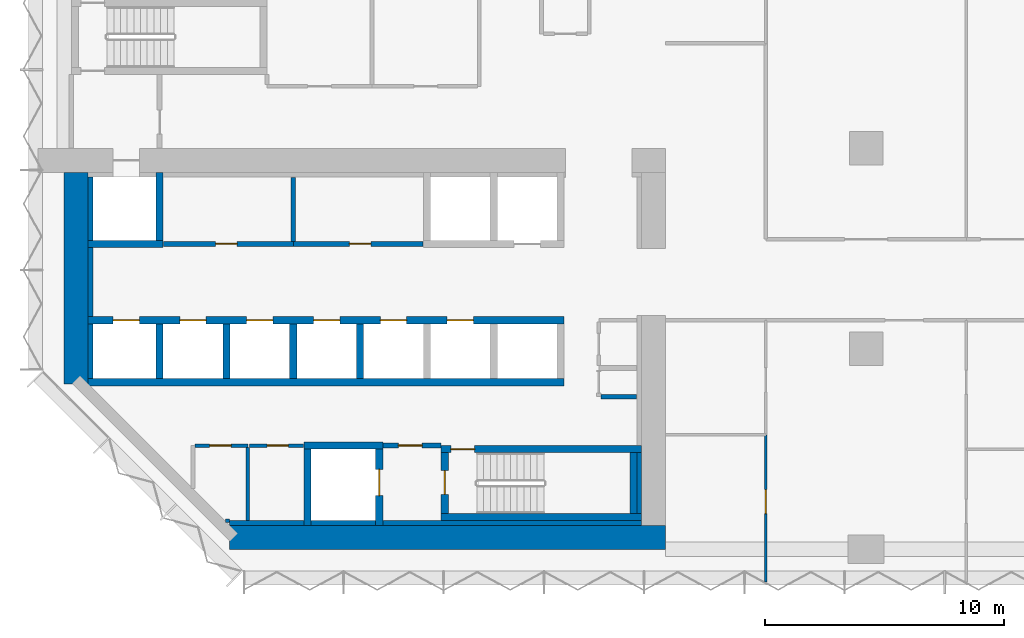
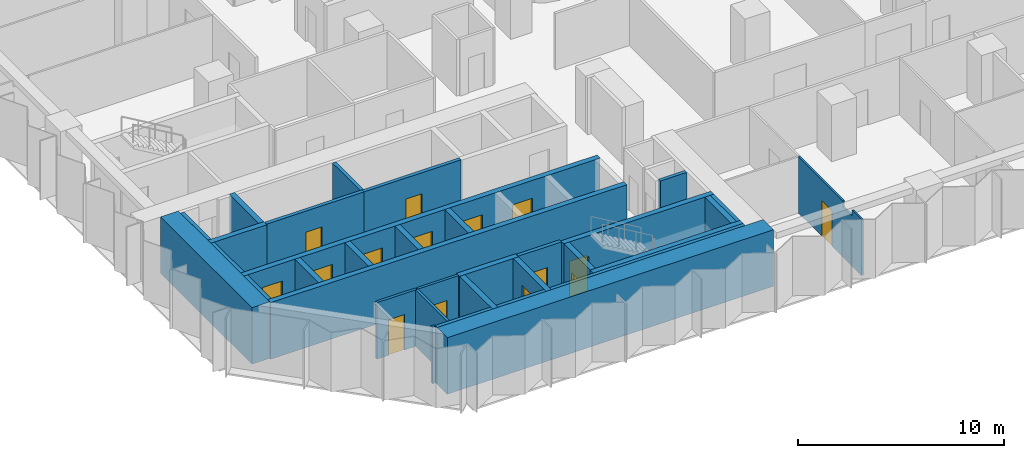
# One storey, part 7 of 15: 34 walls, 15 doors, 15 openings.
"""IFC4 building model written with IfcOpenShell, lengths in metres."""

from ifc_helpers import new_model, si_unit, direction, frame, frame_2d, origin, place, context, subcontext, project, spatial, polyline, rectangle, outline, extrude, material, layer, layer_set, type_object, element, fill, save


model = new_model("IFC4")

# Units and contexts
model_context = context("Model", 3, precision=1e-05, world=origin(), true_north=direction((0.0, 1.0)))
body_context = subcontext(model_context, "Body", "Model", "MODEL_VIEW")
ifc_project = project(units=[si_unit("LENGTHUNIT", "METRE"), si_unit("AREAUNIT", "SQUARE_METRE"), si_unit("VOLUMEUNIT", "CUBIC_METRE"), si_unit("PLANEANGLEUNIT", "RADIAN"), si_unit("MASSUNIT", "GRAM", prefix="KILO")], contexts=[model_context])

# Site, building, storey
site_placement = place(None, origin())
site = spatial("IfcSite", under=ifc_project, at=site_placement, CompositionType="ELEMENT")
building_placement = place(site_placement, origin())
building = spatial("IfcBuilding", under=site, at=building_placement, Name="Brevane Broadcast Tower", CompositionType="ELEMENT")
storey_placement = place(building_placement, frame((0.0, 0.0, 50.89990234375)))
storey = spatial("IfcBuildingStorey", under=building, at=storey_placement, Name="L10", CompositionType="ELEMENT", Elevation=50.89990234375)

# Walls
ifc_material_1 = material(Name="Concrete C32/40", Category="concrete")
ifc_layer_1 = layer(ifc_material_1, 0.199951171875)
ifc_layer_set_1 = layer_set([ifc_layer_1], Name="Core chase wall 200 mm")
wall_type_1 = type_object("IfcWallType", Name="Core chase wall 200 mm", PredefinedType="PARTITIONING", material=ifc_layer_set_1)
wall_1_placement = place(storey_placement, frame((1.10009765625, 7.14990234375, 0.0), z_axis=(0.0, 0.0, 1.0), x_axis=(0.0, 1.0, 0.0)))
element("IfcWall", 1, at=wall_1_placement, inside=storey, type_object=wall_type_1, Name="L10 chase wall LW-2-1", PredefinedType="PARTITIONING", context=body_context, shape_type="SweptSolid", body=[
    extrude(rectangle(XDim=2.300048828125, YDim=0.199951171875, at=frame_2d((1.14990234375, 0.0))), origin(), (0.0, 0.0, 1.0), 3.35009765625),
])
wall_2_placement = place(storey_placement, frame((1.10009765625, 9.75, 0.0), z_axis=(0.0, 0.0, 1.0), x_axis=(0.0, 1.0, 0.0)))
element("IfcWall", 2, at=wall_2_placement, inside=storey, type_object=wall_type_1, Name="L10 chase wall LW-2-2-1", PredefinedType="PARTITIONING", context=body_context, shape_type="SweptSolid", body=[
    extrude(rectangle(XDim=2.89990234375, YDim=0.199951171875, at=frame_2d((1.449951171875, 0.0))), origin(), (0.0, 0.0, 1.0), 3.35009765625),
])
wall_3_placement = place(storey_placement, frame((1.10009765625, 12.949951171875, 0.0), z_axis=(0.0, 0.0, 1.0), x_axis=(0.0, 1.0, 0.0)))
element("IfcWall", 3, at=wall_3_placement, inside=storey, type_object=wall_type_1, Name="L10 chase wall LW-2-2-2", PredefinedType="PARTITIONING", context=body_context, shape_type="SweptSolid", body=[
    extrude(rectangle(XDim=2.650146484375, YDim=0.199951171875, at=frame_2d((1.3251953125, 0.0))), origin(), (0.0, 0.0, 1.0), 3.35009765625),
])
wall_4_placement = place(storey_placement, frame((6.936279296875, 1.10009765625, 0.0), z_axis=(0.0, 0.0, 1.0), x_axis=(1.0, 0.0, 0.0)))
element("IfcWall", 4, at=wall_4_placement, inside=storey, type_object=wall_type_1, Name="L10 chase wall LS-1", PredefinedType="PARTITIONING", context=body_context, shape_type="SweptSolid", body=[
    extrude(rectangle(XDim=3.11376953125, YDim=0.199951171875, at=frame_2d((1.556884765625, 0.0))), origin(), (0.0, 0.0, 1.0), 3.35009765625),
])
wall_5_placement = place(storey_placement, frame((10.35009765625, 1.10009765625, 0.0), z_axis=(0.0, 0.0, 1.0), x_axis=(1.0, 0.0, 0.0)))
element("IfcWall", 5, at=wall_5_placement, inside=storey, type_object=wall_type_1, Name="L10 chase wall LS-2-1", PredefinedType="PARTITIONING", context=body_context, shape_type="SweptSolid", body=[
    extrude(rectangle(XDim=2.699951171875, YDim=0.199951171875, at=frame_2d((1.35009765625, 0.0))), origin(), (0.0, 0.0, 1.0), 3.35009765625),
])
wall_6_placement = place(storey_placement, frame((13.35009765625, 1.10009765625, 0.0), z_axis=(0.0, 0.0, 1.0), x_axis=(1.0, 0.0, 0.0)))
element("IfcWall", 6, at=wall_6_placement, inside=storey, type_object=wall_type_1, Name="L10 chase wall LS-2-2", PredefinedType="PARTITIONING", context=body_context, shape_type="SweptSolid", body=[
    extrude(rectangle(XDim=10.849853515625, YDim=0.199951171875, at=frame_2d((5.4248046875, 0.0))), origin(), (0.0, 0.0, 1.0), 3.35009765625),
])
wall_7_placement = place(storey_placement, frame((24.10009765625, 1.5, 0.0), z_axis=(0.0, 0.0, 1.0), x_axis=(0.0, 1.0, 0.0)))
element("IfcWall", 7, at=wall_7_placement, inside=storey, type_object=wall_type_1, Name="L10 chase wall LE1-2-1", PredefinedType="PARTITIONING", context=body_context, shape_type="SweptSolid", body=[
    extrude(rectangle(XDim=2.550048828125, YDim=0.199951171875, at=frame_2d((1.27490234375, 0.0))), origin(), (0.0, 0.0, 1.0), 3.35009765625),
])

# Wall, opening, door
ifc_material_2 = material(Name="Gypsum board on steel studs", Category="steel")
ifc_layer_2 = layer(ifc_material_2, 0.14990234375)
ifc_layer_set_2 = layer_set([ifc_layer_2], Name="Core fire partition 150 mm")
wall_type_2 = type_object("IfcWallType", Name="Core fire partition 150 mm", PredefinedType="PARTITIONING", material=ifc_layer_set_2)
wall_8_placement = place(storey_placement, frame((5.47509765625, 4.35009765625, 0.0), z_axis=(0.0, 0.0, 1.0), x_axis=(1.0, 0.0, 0.0)))
wall_8 = element("IfcWall", 8, at=wall_8_placement, inside=storey, type_object=wall_type_2, Name="L10 partition wall P11", PredefinedType="PARTITIONING", context=body_context, shape_type="SweptSolid", body=[
    extrude(rectangle(XDim=2.224853515625, YDim=0.14990234375, at=frame_2d((1.1123046875, 0.0))), origin(), (0.0, 0.0, 1.0), 3.35009765625),
])
opening_1_placement = place(wall_8_placement, frame((0.625, 0.0, 0.0)))
opening_1 = element("IfcOpeningElement", 9, at=opening_1_placement, cuts=wall_8, Name="Opening L10-K16", PredefinedType="OPENING", context=body_context, shape_type="SweptSolid", body=[
    extrude(rectangle(XDim=0.89990234375, YDim=2.10009765625, at=frame_2d((0.449951171875, 1.050048828125))), frame((0.0, 0.0849609375, 0.0), z_axis=(0.0, -1.0, 0.0), x_axis=(1.0, 0.0, 0.0)), (0.0, 0.0, 1.0), 0.169921875),
])
ifc_material_3 = material(Name="Timber", Category="wood")
door_type_1 = type_object("IfcDoorType", Name="Toilet door 900 x 2100", OperationType="SINGLE_SWING_LEFT", PredefinedType="DOOR", material=ifc_material_3)
door_1_placement = place(opening_1_placement, origin())
door_1 = element("IfcDoor", 10, at=door_1_placement, inside=storey, type_object=door_type_1, Name="Door L10-K16", OperationType="SINGLE_SWING_RIGHT", OverallHeight=2.10009765625, OverallWidth=0.89990234375, PredefinedType="DOOR", context=body_context, shape_type="SweptSolid", body=[
    extrude(rectangle(XDim=0.89990234375, YDim=2.10009765625, at=frame_2d((0.449951171875, 1.050048828125))), frame((0.0, 0.02490234375, 0.0), z_axis=(0.0, -1.0, 0.0), x_axis=(1.0, 0.0, 0.0)), (0.0, 0.0, 1.0), 0.050048828125),
])
fill(opening_1, door_1)

# Walls
wall_9_placement = place(storey_placement, frame((7.699951171875, 4.27490234375, 0.0), z_axis=(0.0, 0.0, 1.0), x_axis=(0.0, -1.0, 0.0)))
element("IfcWall", 11, at=wall_9_placement, inside=storey, type_object=wall_type_2, Name="L10 partition wall P12", PredefinedType="PARTITIONING", context=body_context, shape_type="SweptSolid", body=[
    extrude(rectangle(XDim=3.06298828125, YDim=0.14990234375, at=frame_2d((1.531494140625, 0.0))), origin(), (0.0, 0.0, 1.0), 3.35009765625),
])
wall_10_placement = place(storey_placement, frame((6.92431640625, 1.199951171875, 0.0), z_axis=(0.0, 0.0, 1.0), x_axis=(-1.0, 0.0, 0.0)))
element("IfcWall", 12, at=wall_10_placement, inside=storey, type_object=wall_type_2, Name="L10 partition wall P13", PredefinedType="PARTITIONING", context=body_context, shape_type="SweptSolid", body=[
    extrude(rectangle(XDim=0.1708984375, YDim=0.14990234375, at=frame_2d((0.08544921875, 0.0))), origin(), (0.0, 0.0, 1.0), 3.35009765625),
])

# Wall, opening, door
wall_11_placement = place(storey_placement, frame((10.0380859375, 4.35009765625, 0.0), z_axis=(0.0, 0.0, 1.0), x_axis=(-1.0, 0.0, 0.0)))
wall_11 = element("IfcWall", 13, at=wall_11_placement, inside=storey, type_object=wall_type_2, Name="L10 partition wall P14", PredefinedType="PARTITIONING", context=body_context, shape_type="SweptSolid", body=[
    extrude(rectangle(XDim=2.26318359375, YDim=0.14990234375, at=frame_2d((1.131591796875, 0.0))), origin(), (0.0, 0.0, 1.0), 3.35009765625),
])
opening_2_placement = place(wall_11_placement, frame((0.637939453125, 0.0, 0.0)))
opening_2 = element("IfcOpeningElement", 14, at=opening_2_placement, cuts=wall_11, Name="Opening L10-K17", PredefinedType="OPENING", context=body_context, shape_type="SweptSolid", body=[
    extrude(rectangle(XDim=0.89990234375, YDim=2.10009765625, at=frame_2d((0.449951171875, 1.050048828125))), frame((0.0, 0.0849609375, 0.0), z_axis=(0.0, -1.0, 0.0), x_axis=(1.0, 0.0, 0.0)), (0.0, 0.0, 1.0), 0.169921875),
])
door_2_placement = place(opening_2_placement, origin())
door_2 = element("IfcDoor", 15, at=door_2_placement, inside=storey, type_object=door_type_1, Name="Door L10-K17", OperationType="SINGLE_SWING_LEFT", OverallHeight=2.10009765625, OverallWidth=0.89990234375, PredefinedType="DOOR", context=body_context, shape_type="SweptSolid", body=[
    extrude(rectangle(XDim=0.89990234375, YDim=2.10009765625, at=frame_2d((0.449951171875, 1.050048828125))), frame((0.0, 0.02490234375, 0.0), z_axis=(0.0, -1.0, 0.0), x_axis=(1.0, 0.0, 0.0)), (0.0, 0.0, 1.0), 0.050048828125),
])
fill(opening_2, door_2)

ifc_layer_3 = layer(ifc_material_2, 0.199951171875)
ifc_layer_set_3 = layer_set([ifc_layer_3], Name="Core fire partition 200 mm")
wall_type_3 = type_object("IfcWallType", Name="Core fire partition 200 mm", PredefinedType="PARTITIONING", material=ifc_layer_set_3)
wall_12_placement = place(storey_placement, frame((13.362060546875, 4.35009765625, 0.0), z_axis=(0.0, 0.0, 1.0), x_axis=(1.0, 0.0, 0.0)))
wall_12 = element("IfcWall", 16, at=wall_12_placement, inside=storey, type_object=wall_type_3, Name="L10 partition wall P03", PredefinedType="PARTITIONING", context=body_context, shape_type="SweptSolid", body=[
    extrude(rectangle(XDim=2.426025390625, YDim=0.199951171875, at=frame_2d((1.212890625, 0.0))), origin(), (0.0, 0.0, 1.0), 3.35009765625),
])
opening_3_placement = place(wall_12_placement, frame((0.637939453125, 0.0, 0.0)))
opening_3 = element("IfcOpeningElement", 17, at=opening_3_placement, cuts=wall_12, Name="Opening L10-K18", PredefinedType="OPENING", context=body_context, shape_type="SweptSolid", body=[
    extrude(rectangle(XDim=1.0, YDim=2.10009765625, at=frame_2d((0.5, 1.050048828125))), frame((0.0, 0.10986328125, 0.0), z_axis=(0.0, -1.0, 0.0), x_axis=(1.0, 0.0, 0.0)), (0.0, 0.0, 1.0), 0.219970703125),
])
ifc_material_4 = material(Name="Steel", Category="steel")
door_type_2 = type_object("IfcDoorType", Name="Stair door 1000 x 2100", OperationType="SINGLE_SWING_LEFT", PredefinedType="DOOR", material=ifc_material_4)
door_3_placement = place(opening_3_placement, origin())
door_3 = element("IfcDoor", 18, at=door_3_placement, inside=storey, type_object=door_type_2, Name="Door L10-K18", OperationType="SINGLE_SWING_RIGHT", OverallHeight=2.10009765625, OverallWidth=1.0, PredefinedType="DOOR", context=body_context, shape_type="SweptSolid", body=[
    extrude(rectangle(XDim=1.0, YDim=2.10009765625, at=frame_2d((0.5, 1.050048828125))), frame((0.0, 0.02490234375, 0.0), z_axis=(0.0, -1.0, 0.0), x_axis=(1.0, 0.0, 0.0)), (0.0, 0.0, 1.0), 0.050048828125),
])
fill(opening_3, door_3)

wall_13_placement = place(storey_placement, frame((4.162109375, 12.800048828125, 0.0), z_axis=(0.0, 0.0, 1.0), x_axis=(1.0, 0.0, 0.0)))
wall_13 = element("IfcWall", 19, at=wall_13_placement, inside=storey, type_object=wall_type_3, Name="L10 partition wall P04", PredefinedType="PARTITIONING", context=body_context, shape_type="SweptSolid", body=[
    extrude(rectangle(XDim=5.43798828125, YDim=0.199951171875, at=frame_2d((2.718994140625, 0.0))), origin(), (0.0, 0.0, 1.0), 3.35009765625),
])
opening_4_placement = place(wall_13_placement, frame((2.18798828125, 0.0, 0.0)))
opening_4 = element("IfcOpeningElement", 20, at=opening_4_placement, cuts=wall_13, Name="Opening L10-K21", PredefinedType="OPENING", context=body_context, shape_type="SweptSolid", body=[
    extrude(rectangle(XDim=0.89990234375, YDim=2.10009765625, at=frame_2d((0.449951171875, 1.050048828125))), frame((0.0, 0.10986328125, 0.0), z_axis=(0.0, -1.0, 0.0), x_axis=(1.0, 0.0, 0.0)), (0.0, 0.0, 1.0), 0.219970703125),
])
door_type_3 = type_object("IfcDoorType", Name="Service room door 900 x 2100", OperationType="SINGLE_SWING_LEFT", PredefinedType="DOOR", material=ifc_material_4)
door_4_placement = place(opening_4_placement, origin())
door_4 = element("IfcDoor", 21, at=door_4_placement, inside=storey, type_object=door_type_3, Name="Door L10-K21", OperationType="SINGLE_SWING_LEFT", OverallHeight=2.10009765625, OverallWidth=0.89990234375, PredefinedType="DOOR", context=body_context, shape_type="SweptSolid", body=[
    extrude(rectangle(XDim=0.89990234375, YDim=2.10009765625, at=frame_2d((0.449951171875, 1.050048828125))), frame((0.0, 0.02490234375, 0.0), z_axis=(0.0, -1.0, 0.0), x_axis=(1.0, 0.0, 0.0)), (0.0, 0.0, 1.0), 0.050048828125),
])
fill(opening_4, door_4)

wall_14_placement = place(storey_placement, frame((9.60009765625, 12.800048828125, 0.0), z_axis=(0.0, 0.0, 1.0), x_axis=(1.0, 0.0, 0.0)))
wall_14 = element("IfcWall", 22, at=wall_14_placement, inside=storey, type_object=wall_type_3, Name="L10 partition wall P05", PredefinedType="PARTITIONING", context=body_context, shape_type="SweptSolid", body=[
    extrude(rectangle(XDim=5.43798828125, YDim=0.199951171875, at=frame_2d((2.718994140625, 0.0))), origin(), (0.0, 0.0, 1.0), 3.35009765625),
])
opening_5_placement = place(wall_14_placement, frame((2.35009765625, 0.0, 0.0)))
opening_5 = element("IfcOpeningElement", 23, at=opening_5_placement, cuts=wall_14, Name="Opening L10-K22", PredefinedType="OPENING", context=body_context, shape_type="SweptSolid", body=[
    extrude(rectangle(XDim=0.89990234375, YDim=2.10009765625, at=frame_2d((0.449951171875, 1.050048828125))), frame((0.0, 0.10986328125, 0.0), z_axis=(0.0, -1.0, 0.0), x_axis=(1.0, 0.0, 0.0)), (0.0, 0.0, 1.0), 0.219970703125),
])
door_5_placement = place(opening_5_placement, origin())
door_5 = element("IfcDoor", 24, at=door_5_placement, inside=storey, type_object=door_type_3, Name="Door L10-K22", OperationType="SINGLE_SWING_RIGHT", OverallHeight=2.10009765625, OverallWidth=0.89990234375, PredefinedType="DOOR", context=body_context, shape_type="SweptSolid", body=[
    extrude(rectangle(XDim=0.89990234375, YDim=2.10009765625, at=frame_2d((0.449951171875, 1.050048828125))), frame((0.0, 0.02490234375, 0.0), z_axis=(0.0, -1.0, 0.0), x_axis=(1.0, 0.0, 0.0)), (0.0, 0.0, 1.0), 0.050048828125),
])
fill(opening_5, door_5)

# Walls
wall_15_placement = place(storey_placement, frame((9.60009765625, 15.587890625, 0.0), z_axis=(0.0, 0.0, 1.0), x_axis=(0.0, -1.0, 0.0)))
element("IfcWall", 25, at=wall_15_placement, inside=storey, type_object=wall_type_3, Name="L10 partition wall P06", PredefinedType="PARTITIONING", context=body_context, shape_type="SweptSolid", body=[
    extrude(rectangle(XDim=2.68798828125, YDim=0.199951171875, at=frame_2d((1.343994140625, 0.0))), origin(), (0.0, 0.0, 1.0), 3.35009765625),
])
wall_16_placement = place(storey_placement, frame((22.5, 6.39990234375, 0.0), z_axis=(0.0, 0.0, 1.0), x_axis=(1.0, 0.0, 0.0)))
element("IfcWall", 26, at=wall_16_placement, inside=storey, type_object=wall_type_3, Name="L10 partition wall P09", PredefinedType="PARTITIONING", context=body_context, shape_type="SweptSolid", body=[
    extrude(rectangle(XDim=1.488037109375, YDim=0.199951171875, at=frame_2d((0.744140625, 0.0))), origin(), (0.0, 0.0, 1.0), 3.35009765625),
])
ifc_material_5 = material(Name="Concrete C80/95", Category="concrete")
ifc_layer_4 = layer(ifc_material_5, 1.0)
ifc_layer_set_4 = layer_set([ifc_layer_4], Name="Core wall 1000 mm C80/95")
wall_type_4 = type_object("IfcWallType", Name="Core wall 1000 mm C80/95", PredefinedType="SHEAR", material=ifc_layer_set_4)
wall_17_placement = place(storey_placement, frame((6.936279296875, 0.5, 0.0), z_axis=(0.0, 0.0, 1.0), x_axis=(1.0, 0.0, 0.0)))
element("IfcWall", 27, at=wall_17_placement, inside=storey, type_object=wall_type_4, Name="L10 outer wall WS", PredefinedType="SHEAR", context=body_context, shape_type="SweptSolid", body=[
    extrude(rectangle(XDim=18.263671875, YDim=1.0, at=frame_2d((9.1318359375, 0.0))), origin(), (0.0, 0.0, 1.0), 3.35009765625),
])
wall_18_placement = place(storey_placement, frame((0.5, 6.936279296875, 0.0), z_axis=(0.0, 0.0, 1.0), x_axis=(0.0, 1.0, 0.0)))
element("IfcWall", 28, at=wall_18_placement, inside=storey, type_object=wall_type_4, Name="L10 outer wall WW", PredefinedType="SHEAR", context=body_context, shape_type="SweptSolid", body=[
    extrude(rectangle(XDim=8.86376953125, YDim=1.0, at=frame_2d((4.431884765625, 0.0))), origin(), (0.0, 0.0, 1.0), 3.35009765625),
])
ifc_layer_5 = layer(ifc_material_5, 0.300048828125)
ifc_layer_set_5 = layer_set([ifc_layer_5], Name="Core wall 300 mm C80/95")
wall_type_5 = type_object("IfcWallType", Name="Core wall 300 mm C80/95", PredefinedType="SHEAR", material=ifc_layer_set_5)
wall_19_placement = place(storey_placement, frame((1.0, 7.0, 0.0), z_axis=(0.0, 0.0, 1.0), x_axis=(1.0, 0.0, 0.0)))
element("IfcWall", 29, at=wall_19_placement, inside=storey, type_object=wall_type_5, Name="L10 shaft wall SH-S012-back", PredefinedType="SHEAR", context=body_context, shape_type="SweptSolid", body=[
    extrude(rectangle(XDim=19.949951171875, YDim=0.300048828125, at=frame_2d((9.97509765625, 0.0))), origin(), (0.0, 0.0, 1.0), 3.35009765625),
])

# Wall, openings, doors
wall_20_placement = place(storey_placement, frame((1.0, 9.60009765625, 0.0), z_axis=(0.0, 0.0, 1.0), x_axis=(1.0, 0.0, 0.0)))
wall_20 = element("IfcWall", 30, at=wall_20_placement, inside=storey, type_object=wall_type_5, Name="L10 shaft wall SH-S012-front", PredefinedType="SHEAR", context=body_context, shape_type="SweptSolid", body=[
    extrude(rectangle(XDim=19.949951171875, YDim=0.300048828125, at=frame_2d((9.97509765625, 0.0))), origin(), (0.0, 0.0, 1.0), 3.35009765625),
])
opening_6_placement = place(wall_20_placement, frame((1.050048828125, 0.0, 0.0)))
opening_6 = element("IfcOpeningElement", 31, at=opening_6_placement, cuts=wall_20, Name="Opening LD", PredefinedType="OPENING", context=body_context, shape_type="SweptSolid", body=[
    extrude(rectangle(XDim=1.10009765625, YDim=2.300048828125, at=frame_2d((0.550048828125, 1.14990234375))), frame((0.0, 0.159912109375, 0.0), z_axis=(0.0, -1.0, 0.0), x_axis=(1.0, 0.0, 0.0)), (0.0, 0.0, 1.0), 0.320068359375),
])
opening_7_placement = place(wall_20_placement, frame((3.85009765625, 0.0, 0.0)))
opening_7 = element("IfcOpeningElement", 32, at=opening_7_placement, cuts=wall_20, Name="Opening LD", PredefinedType="OPENING", context=body_context, shape_type="SweptSolid", body=[
    extrude(rectangle(XDim=1.10009765625, YDim=2.300048828125, at=frame_2d((0.550048828125, 1.14990234375))), frame((0.0, 0.159912109375, 0.0), z_axis=(0.0, -1.0, 0.0), x_axis=(1.0, 0.0, 0.0)), (0.0, 0.0, 1.0), 0.320068359375),
])
opening_8_placement = place(wall_20_placement, frame((6.64990234375, 0.0, 0.0)))
opening_8 = element("IfcOpeningElement", 33, at=opening_8_placement, cuts=wall_20, Name="Opening LD", PredefinedType="OPENING", context=body_context, shape_type="SweptSolid", body=[
    extrude(rectangle(XDim=1.10009765625, YDim=2.300048828125, at=frame_2d((0.550048828125, 1.14990234375))), frame((0.0, 0.159912109375, 0.0), z_axis=(0.0, -1.0, 0.0), x_axis=(1.0, 0.0, 0.0)), (0.0, 0.0, 1.0), 0.320068359375),
])
opening_9_placement = place(wall_20_placement, frame((9.449951171875, 0.0, 0.0)))
opening_9 = element("IfcOpeningElement", 34, at=opening_9_placement, cuts=wall_20, Name="Opening LD", PredefinedType="OPENING", context=body_context, shape_type="SweptSolid", body=[
    extrude(rectangle(XDim=1.10009765625, YDim=2.300048828125, at=frame_2d((0.550048828125, 1.14990234375))), frame((0.0, 0.159912109375, 0.0), z_axis=(0.0, -1.0, 0.0), x_axis=(1.0, 0.0, 0.0)), (0.0, 0.0, 1.0), 0.320068359375),
])
opening_10_placement = place(wall_20_placement, frame((12.25, 0.0, 0.0)))
opening_10 = element("IfcOpeningElement", 35, at=opening_10_placement, cuts=wall_20, Name="Opening LD", PredefinedType="OPENING", context=body_context, shape_type="SweptSolid", body=[
    extrude(rectangle(XDim=1.10009765625, YDim=2.300048828125, at=frame_2d((0.550048828125, 1.14990234375))), frame((0.0, 0.159912109375, 0.0), z_axis=(0.0, -1.0, 0.0), x_axis=(1.0, 0.0, 0.0)), (0.0, 0.0, 1.0), 0.320068359375),
])
opening_11_placement = place(wall_20_placement, frame((15.050048828125, 0.0, 0.0)))
opening_11 = element("IfcOpeningElement", 36, at=opening_11_placement, cuts=wall_20, Name="Opening LD", PredefinedType="OPENING", context=body_context, shape_type="SweptSolid", body=[
    extrude(rectangle(XDim=1.10009765625, YDim=2.300048828125, at=frame_2d((0.550048828125, 1.14990234375))), frame((0.0, 0.159912109375, 0.0), z_axis=(0.0, -1.0, 0.0), x_axis=(1.0, 0.0, 0.0)), (0.0, 0.0, 1.0), 0.320068359375),
])
ifc_material_6 = material(Name="Stainless steel", Category="steel")
door_type_4 = type_object("IfcDoorType", Name="Lift landing door", OperationType="SLIDING_TO_LEFT", PredefinedType="DOOR", material=ifc_material_6)
door_6_placement = place(opening_6_placement, origin())
door_6 = element("IfcDoor", 37, at=door_6_placement, inside=storey, type_object=door_type_4, Name="Landing door LR1 L10", OperationType="SLIDING_TO_LEFT", OverallHeight=2.300048828125, OverallWidth=1.10009765625, PredefinedType="DOOR", context=body_context, shape_type="SweptSolid", body=[
    extrude(rectangle(XDim=1.10009765625, YDim=2.300048828125, at=frame_2d((0.550048828125, 1.14990234375))), frame((0.0, 0.02490234375, 0.0), z_axis=(0.0, -1.0, 0.0), x_axis=(1.0, 0.0, 0.0)), (0.0, 0.0, 1.0), 0.050048828125),
])
fill(opening_6, door_6)
door_7_placement = place(opening_7_placement, origin())
door_7 = element("IfcDoor", 38, at=door_7_placement, inside=storey, type_object=door_type_4, Name="Landing door LR2 L10", OperationType="SLIDING_TO_LEFT", OverallHeight=2.300048828125, OverallWidth=1.10009765625, PredefinedType="DOOR", context=body_context, shape_type="SweptSolid", body=[
    extrude(rectangle(XDim=1.10009765625, YDim=2.300048828125, at=frame_2d((0.550048828125, 1.14990234375))), frame((0.0, 0.02490234375, 0.0), z_axis=(0.0, -1.0, 0.0), x_axis=(1.0, 0.0, 0.0)), (0.0, 0.0, 1.0), 0.050048828125),
])
fill(opening_7, door_7)
door_8_placement = place(opening_8_placement, origin())
door_8 = element("IfcDoor", 39, at=door_8_placement, inside=storey, type_object=door_type_4, Name="Landing door LR3 L10", OperationType="SLIDING_TO_LEFT", OverallHeight=2.300048828125, OverallWidth=1.10009765625, PredefinedType="DOOR", context=body_context, shape_type="SweptSolid", body=[
    extrude(rectangle(XDim=1.10009765625, YDim=2.300048828125, at=frame_2d((0.550048828125, 1.14990234375))), frame((0.0, 0.02490234375, 0.0), z_axis=(0.0, -1.0, 0.0), x_axis=(1.0, 0.0, 0.0)), (0.0, 0.0, 1.0), 0.050048828125),
])
fill(opening_8, door_8)
door_9_placement = place(opening_9_placement, origin())
door_9 = element("IfcDoor", 40, at=door_9_placement, inside=storey, type_object=door_type_4, Name="Landing door LR4 L10", OperationType="SLIDING_TO_LEFT", OverallHeight=2.300048828125, OverallWidth=1.10009765625, PredefinedType="DOOR", context=body_context, shape_type="SweptSolid", body=[
    extrude(rectangle(XDim=1.10009765625, YDim=2.300048828125, at=frame_2d((0.550048828125, 1.14990234375))), frame((0.0, 0.02490234375, 0.0), z_axis=(0.0, -1.0, 0.0), x_axis=(1.0, 0.0, 0.0)), (0.0, 0.0, 1.0), 0.050048828125),
])
fill(opening_9, door_9)
door_10_placement = place(opening_10_placement, origin())
door_10 = element("IfcDoor", 41, at=door_10_placement, inside=storey, type_object=door_type_4, Name="Landing door LR5 L10", OperationType="SLIDING_TO_LEFT", OverallHeight=2.300048828125, OverallWidth=1.10009765625, PredefinedType="DOOR", context=body_context, shape_type="SweptSolid", body=[
    extrude(rectangle(XDim=1.10009765625, YDim=2.300048828125, at=frame_2d((0.550048828125, 1.14990234375))), frame((0.0, 0.02490234375, 0.0), z_axis=(0.0, -1.0, 0.0), x_axis=(1.0, 0.0, 0.0)), (0.0, 0.0, 1.0), 0.050048828125),
])
fill(opening_10, door_10)
door_11_placement = place(opening_11_placement, origin())
door_11 = element("IfcDoor", 42, at=door_11_placement, inside=storey, type_object=door_type_4, Name="Landing door LR6 L10", OperationType="SLIDING_TO_LEFT", OverallHeight=2.300048828125, OverallWidth=1.10009765625, PredefinedType="DOOR", context=body_context, shape_type="SweptSolid", body=[
    extrude(rectangle(XDim=1.10009765625, YDim=2.300048828125, at=frame_2d((0.550048828125, 1.14990234375))), frame((0.0, 0.02490234375, 0.0), z_axis=(0.0, -1.0, 0.0), x_axis=(1.0, 0.0, 0.0)), (0.0, 0.0, 1.0), 0.050048828125),
])
fill(opening_11, door_11)

# Walls
for number, where, z_axis, x_axis, name in (
    (43, (4.0, 7.14990234375, 0.0), (0.0, 0.0, 1.0), (0.0, 1.0, 0.0), "L10 shaft wall SH-S-P040"),
    (44, (6.800048828125, 7.14990234375, 0.0), (0.0, 0.0, 1.0), (0.0, 1.0, 0.0), "L10 shaft wall SH-S-P068"),
    (45, (9.60009765625, 7.14990234375, 0.0), (0.0, 0.0, 1.0), (0.0, 1.0, 0.0), "L10 shaft wall SH-S-P096"),
    (46, (12.39990234375, 7.14990234375, 0.0), (0.0, 0.0, 1.0), (0.0, 1.0, 0.0), "L10 shaft wall SH-S-P124"),
):
    element("IfcWall", number, at=place(storey_placement, frame(where, z_axis=z_axis, x_axis=x_axis)), inside=storey, type_object=wall_type_5, Name=name, PredefinedType="SHEAR", context=body_context, shape_type="SweptSolid", body=[
        extrude(rectangle(XDim=2.300048828125, YDim=0.300048828125, at=frame_2d((1.14990234375, 0.0))), origin(), (0.0, 0.0, 1.0), 3.35009765625),
    ])
wall_21_placement = place(storey_placement, frame((1.0, 12.800048828125, 0.0), z_axis=(0.0, 0.0, 1.0), x_axis=(1.0, 0.0, 0.0)))
element("IfcWall", 47, at=wall_21_placement, inside=storey, type_object=wall_type_5, Name="L10 shaft wall SH-N012-front", PredefinedType="SHEAR", context=body_context, shape_type="SweptSolid", body=[
    extrude(rectangle(XDim=3.14990234375, YDim=0.300048828125, at=frame_2d((1.574951171875, 0.0))), origin(), (0.0, 0.0, 1.0), 3.35009765625),
])
wall_22_placement = place(storey_placement, frame((4.0, 12.949951171875, 0.0), z_axis=(0.0, 0.0, 1.0), x_axis=(0.0, 1.0, 0.0)))
element("IfcWall", 48, at=wall_22_placement, inside=storey, type_object=wall_type_5, Name="L10 shaft wall SH-N-P040", PredefinedType="SHEAR", context=body_context, shape_type="SweptSolid", body=[
    extrude(rectangle(XDim=2.85009765625, YDim=0.300048828125, at=frame_2d((1.425048828125, 0.0))), origin(), (0.0, 0.0, 1.0), 3.35009765625),
])
wall_23_placement = place(storey_placement, frame((10.199951171875, 1.0, 0.0), z_axis=(0.0, 0.0, 1.0), x_axis=(0.0, 1.0, 0.0)))
element("IfcWall", 49, at=wall_23_placement, inside=storey, type_object=wall_type_5, Name="L10 shaft wall FF2-W", PredefinedType="SHEAR", context=body_context, shape_type="SweptSolid", body=[
    extrude(rectangle(XDim=3.199951171875, YDim=0.300048828125, at=frame_2d((1.60009765625, 0.0))), origin(), (0.0, 0.0, 1.0), 3.35009765625),
])

# Wall, opening, door
wall_24_placement = place(storey_placement, frame((13.199951171875, 1.0, 0.0), z_axis=(0.0, 0.0, 1.0), x_axis=(0.0, 1.0, 0.0)))
wall_24 = element("IfcWall", 50, at=wall_24_placement, inside=storey, type_object=wall_type_5, Name="L10 shaft wall FF2-E", PredefinedType="SHEAR", context=body_context, shape_type="SweptSolid", body=[
    extrude(rectangle(XDim=3.199951171875, YDim=0.300048828125, at=frame_2d((1.60009765625, 0.0))), origin(), (0.0, 0.0, 1.0), 3.35009765625),
])
opening_12_placement = place(wall_24_placement, frame((1.25, 0.0, 0.0)))
opening_12 = element("IfcOpeningElement", 51, at=opening_12_placement, cuts=wall_24, Name="Opening LD", PredefinedType="OPENING", context=body_context, shape_type="SweptSolid", body=[
    extrude(rectangle(XDim=1.10009765625, YDim=2.300048828125, at=frame_2d((0.550048828125, 1.14990234375))), frame((0.0, 0.159912109375, 0.0), z_axis=(0.0, -1.0, 0.0), x_axis=(1.0, 0.0, 0.0)), (0.0, 0.0, 1.0), 0.320068359375),
])
door_12_placement = place(opening_12_placement, origin())
door_12 = element("IfcDoor", 52, at=door_12_placement, inside=storey, type_object=door_type_4, Name="Landing door FF2 L10", OperationType="SLIDING_TO_LEFT", OverallHeight=2.300048828125, OverallWidth=1.10009765625, PredefinedType="DOOR", context=body_context, shape_type="SweptSolid", body=[
    extrude(rectangle(XDim=1.10009765625, YDim=2.300048828125, at=frame_2d((0.550048828125, 1.14990234375))), frame((0.0, 0.02490234375, 0.0), z_axis=(0.0, -1.0, 0.0), x_axis=(1.0, 0.0, 0.0)), (0.0, 0.0, 1.0), 0.050048828125),
])
fill(opening_12, door_12)

# Walls
wall_25_placement = place(storey_placement, frame((10.050048828125, 4.35009765625, 0.0), z_axis=(0.0, 0.0, 1.0), x_axis=(1.0, 0.0, 0.0)))
element("IfcWall", 53, at=wall_25_placement, inside=storey, type_object=wall_type_5, Name="L10 shaft wall FF2-N", PredefinedType="SHEAR", context=body_context, shape_type="SweptSolid", body=[
    extrude(rectangle(XDim=3.300048828125, YDim=0.300048828125, at=frame_2d((1.64990234375, 0.0))), origin(), (0.0, 0.0, 1.0), 3.35009765625),
])
wall_26_placement = place(storey_placement, frame((15.800048828125, 1.35009765625, 0.0), z_axis=(0.0, 0.0, 1.0), x_axis=(1.0, 0.0, 0.0)))
element("IfcWall", 54, at=wall_26_placement, inside=storey, type_object=wall_type_5, Name="L10 stair wall ST-2-S", PredefinedType="SHEAR", context=body_context, shape_type="SweptSolid", body=[
    extrude(rectangle(XDim=8.39990234375, YDim=0.300048828125, at=frame_2d((4.199951171875, 0.0))), origin(), (0.0, 0.0, 1.0), 3.35009765625),
])

# Wall, opening, door
wall_27_placement = place(storey_placement, frame((15.800048828125, 4.199951171875, 0.0), z_axis=(0.0, 0.0, 1.0), x_axis=(1.0, 0.0, 0.0)))
wall_27 = element("IfcWall", 55, at=wall_27_placement, inside=storey, type_object=wall_type_5, Name="L10 stair wall ST-2-N", PredefinedType="SHEAR", context=body_context, shape_type="SweptSolid", body=[
    extrude(rectangle(XDim=8.39990234375, YDim=0.300048828125, at=frame_2d((4.199951171875, 0.0))), origin(), (0.0, 0.0, 1.0), 3.35009765625),
])
opening_13_placement = place(wall_27_placement, frame((0.39990234375, 0.0, 0.0)))
opening_13 = element("IfcOpeningElement", 56, at=opening_13_placement, cuts=wall_27, Name="Opening L10-K13", PredefinedType="OPENING", context=body_context, shape_type="SweptSolid", body=[
    extrude(rectangle(XDim=1.0, YDim=2.10009765625, at=frame_2d((0.5, 1.050048828125))), frame((0.0, 0.159912109375, 0.0), z_axis=(0.0, -1.0, 0.0), x_axis=(1.0, 0.0, 0.0)), (0.0, 0.0, 1.0), 0.320068359375),
])
door_13_placement = place(opening_13_placement, origin())
door_13 = element("IfcDoor", 57, at=door_13_placement, inside=storey, type_object=door_type_2, Name="Door L10-K13", OperationType="SINGLE_SWING_LEFT", OverallHeight=2.10009765625, OverallWidth=1.0, PredefinedType="DOOR", context=body_context, shape_type="SweptSolid", body=[
    extrude(rectangle(XDim=1.0, YDim=2.10009765625, at=frame_2d((0.5, 1.050048828125))), frame((0.0, 0.02490234375, 0.0), z_axis=(0.0, -1.0, 0.0), x_axis=(1.0, 0.0, 0.0)), (0.0, 0.0, 1.0), 0.050048828125),
])
fill(opening_13, door_13)

wall_28_placement = place(storey_placement, frame((15.949951171875, 1.5, 0.0), z_axis=(0.0, 0.0, 1.0), x_axis=(0.0, 1.0, 0.0)))
wall_28 = element("IfcWall", 58, at=wall_28_placement, inside=storey, type_object=wall_type_5, Name="L10 stair wall ST-2-W", PredefinedType="SHEAR", context=body_context, shape_type="SweptSolid", body=[
    extrude(rectangle(XDim=2.550048828125, YDim=0.300048828125, at=frame_2d((1.27490234375, 0.0))), origin(), (0.0, 0.0, 1.0), 3.35009765625),
])
opening_14_placement = place(wall_28_placement, frame((0.800048828125, 0.0, 0.0)))
opening_14 = element("IfcOpeningElement", 59, at=opening_14_placement, cuts=wall_28, Name="Opening L10-K12", PredefinedType="OPENING", context=body_context, shape_type="SweptSolid", body=[
    extrude(rectangle(XDim=1.0, YDim=2.10009765625, at=frame_2d((0.5, 1.050048828125))), frame((0.0, 0.159912109375, 0.0), z_axis=(0.0, -1.0, 0.0), x_axis=(1.0, 0.0, 0.0)), (0.0, 0.0, 1.0), 0.320068359375),
])
door_14_placement = place(opening_14_placement, origin())
door_14 = element("IfcDoor", 60, at=door_14_placement, inside=storey, type_object=door_type_2, Name="Door L10-K12", OperationType="SINGLE_SWING_RIGHT", OverallHeight=2.10009765625, OverallWidth=1.0, PredefinedType="DOOR", context=body_context, shape_type="SweptSolid", body=[
    extrude(rectangle(XDim=1.0, YDim=2.10009765625, at=frame_2d((0.5, 1.050048828125))), frame((0.0, 0.02490234375, 0.0), z_axis=(0.0, -1.0, 0.0), x_axis=(1.0, 0.0, 0.0)), (0.0, 0.0, 1.0), 0.050048828125),
])
fill(opening_14, door_14)

# Wall
wall_29_placement = place(storey_placement, frame((23.85009765625, 1.5, 0.0), z_axis=(0.0, 0.0, 1.0), x_axis=(0.0, 1.0, 0.0)))
element("IfcWall", 61, at=wall_29_placement, inside=storey, type_object=wall_type_5, Name="L10 stair wall ST-2-E", PredefinedType="SHEAR", context=body_context, shape_type="SweptSolid", body=[
    extrude(rectangle(XDim=2.550048828125, YDim=0.300048828125, at=frame_2d((1.27490234375, 0.0))), origin(), (0.0, 0.0, 1.0), 3.35009765625),
])

# Wall, opening, door
ifc_material_7 = material(Name="Gypsum board partition")
ifc_layer_6 = layer(ifc_material_7, 0.10009765625)
ifc_layer_set_6 = layer_set([ifc_layer_6], Name="PARTITION 100 STUD")
wall_type_6 = type_object("IfcWallType", Name="PARTITION 100 STUD", PredefinedType="PARTITIONING", material=ifc_layer_set_6)
wall_30_placement = place(storey_placement, frame((29.39990234375, -1.364990234375, 0.0), z_axis=(0.0, 0.0, 1.0), x_axis=(0.0, 1.0, 0.0)))
wall_30 = element("IfcWall", 62, at=wall_30_placement, inside=storey, type_object=wall_type_6, Name="Partition G02-019", PredefinedType="PARTITIONING", context=body_context, shape_type="SweptSolid", body=[
    extrude(outline(polyline([(0.0, 0.0), (6.1650390625, 0.0), (6.1650390625, 3.330078125), (1.81494140625, 3.330078125), (1.81298828125, 2.97998046875), (0.9169921875, 2.97998046875), (0.9150390625, 3.330078125), (0.264892578125, 3.330078125), (0.0, 3.330078125), (0.0, 0.0)])), frame((0.0, 0.050048828125, 0.0), z_axis=(0.0, -1.0, 0.0), x_axis=(1.0, 0.0, 0.0)), (0.0, 0.0, 1.0), 0.10009765625),
])
opening_15_placement = place(wall_30_placement, frame((2.864990234375, 0.0, 0.0)))
opening_15 = element("IfcOpeningElement", 63, at=opening_15_placement, cuts=wall_30, Name="Opening D08-005", PredefinedType="OPENING", context=body_context, shape_type="SweptSolid", body=[
    extrude(rectangle(XDim=1.0, YDim=2.10009765625, at=frame_2d((0.5, 1.050048828125))), frame((0.0, 0.06005859375, 0.0), z_axis=(0.0, -1.0, 0.0), x_axis=(1.0, 0.0, 0.0)), (0.0, 0.0, 1.0), 0.1201171875),
])
ifc_material_8 = material(Name="Timber door leaf", Category="wood")
door_type_5 = type_object("IfcDoorType", Name="DOOR SINGLE 1000 INTERNAL", OperationType="SINGLE_SWING_LEFT", PredefinedType="DOOR", material=ifc_material_8)
door_15_placement = place(opening_15_placement, origin())
door_15 = element("IfcDoor", 64, at=door_15_placement, inside=storey, type_object=door_type_5, Name="Door D08-005", OperationType="SINGLE_SWING_LEFT", OverallHeight=2.10009765625, OverallWidth=1.0, PredefinedType="DOOR", context=body_context, shape_type="SweptSolid", body=[
    extrude(rectangle(XDim=1.0, YDim=2.10009765625, at=frame_2d((0.5, 1.050048828125))), frame((0.0, 0.02490234375, 0.0), z_axis=(0.0, -1.0, 0.0), x_axis=(1.0, 0.0, 0.0)), (0.0, 0.0, 1.0), 0.050048828125),
])
fill(opening_15, door_15)

save(model, "model.ifc")
